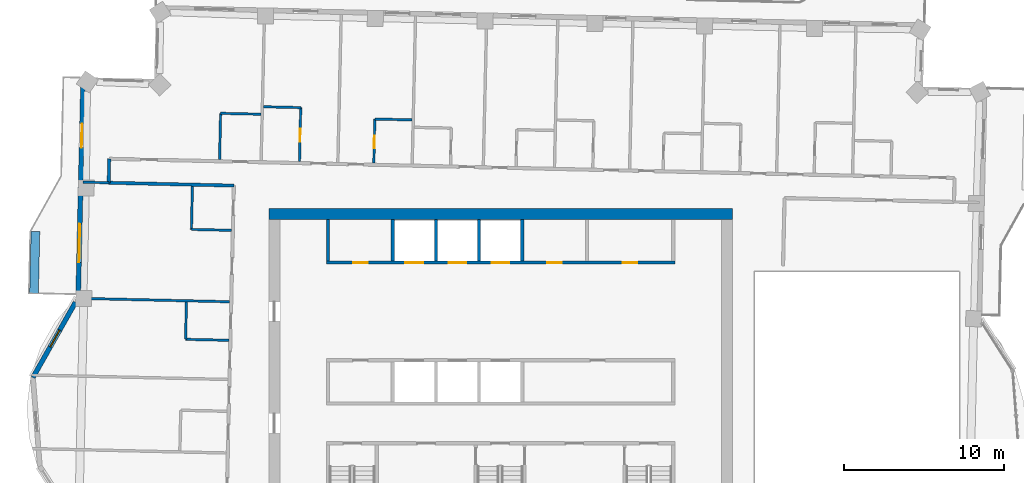
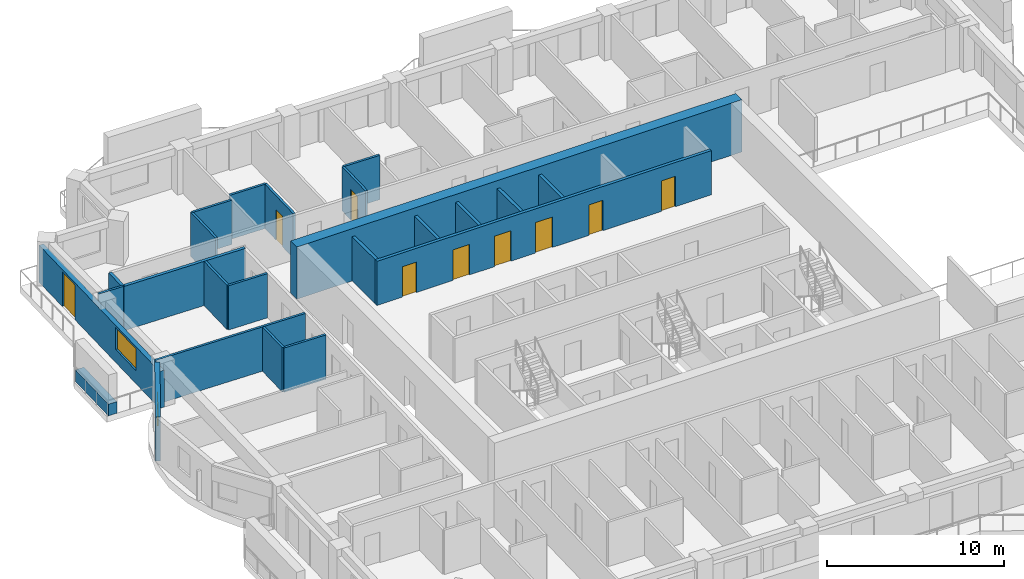
# One storey, part 10 of 17: 24 walls, 9 doors, 2 windows, 11 openings.
"""IFC4 building model written with IfcOpenShell, lengths in metres."""

from ifc_helpers import new_model, si_unit, direction, frame, frame_2d, origin, place, context, subcontext, project, spatial, rectangle, extrude, material, layer, layer_set, type_object, element, fill, save


model = new_model("IFC4")

# Units and contexts
model_context = context("Model", 3, precision=1e-05, world=origin(), true_north=direction((0.0, 1.0)))
body_context = subcontext(model_context, "Body", "Model", "MODEL_VIEW")
ifc_project = project(units=[si_unit("LENGTHUNIT", "METRE"), si_unit("AREAUNIT", "SQUARE_METRE"), si_unit("VOLUMEUNIT", "CUBIC_METRE"), si_unit("PLANEANGLEUNIT", "RADIAN"), si_unit("MASSUNIT", "GRAM", prefix="KILO")], contexts=[model_context])

# Site, building, storey
site_placement = place(None, origin())
site = spatial("IfcSite", under=ifc_project, at=site_placement, CompositionType="ELEMENT")
building_placement = place(site_placement, origin())
building = spatial("IfcBuilding", under=site, at=building_placement, Name="Mangrove Gate Tower", CompositionType="ELEMENT")
storey_placement = place(building_placement, frame((0.0, 0.0, 264.5)))
storey = spatial("IfcBuildingStorey", under=building, at=storey_placement, Name="L67", CompositionType="ELEMENT", Elevation=264.5)

# Wall
ifc_material_1 = material(Name="Concrete C32/40", Category="concrete")
ifc_layer_1 = layer(ifc_material_1, 0.199951171875)
ifc_layer_set_1 = layer_set([ifc_layer_1], Name="Core room wall 200 C32/40")
wall_type_1 = type_object("IfcWallType", Name="Core room wall 200 C32/40", PredefinedType="STANDARD", material=ifc_layer_set_1)
wall_1_placement = place(storey_placement, frame((-10.800048828125, 8.199951171875, 0.0), z_axis=(0.0, 0.0, 1.0), x_axis=(0.0, 1.0, 0.0)))
element("IfcWall", 1, at=wall_1_placement, inside=storey, type_object=wall_type_1, Name="WALL-L67-CORE-25", PredefinedType="STANDARD", context=body_context, shape_type="SweptSolid", body=[
    extrude(rectangle(XDim=2.60009765625, YDim=0.199951171875, at=frame_2d((1.300048828125, 0.0))), origin(), (0.0, 0.0, 1.0), 3.050048828125),
])

# Wall, openings, doors
ifc_material_2 = material(Name="Concrete C60/75", Category="concrete")
ifc_layer_2 = layer(ifc_material_2, 0.199951171875)
ifc_layer_set_2 = layer_set([ifc_layer_2], Name="Core shaft wall 200 C60/75")
wall_type_2 = type_object("IfcWallType", Name="Core shaft wall 200 C60/75", PredefinedType="SHEAR", material=ifc_layer_set_2)
wall_2_placement = place(storey_placement, frame((-10.89990234375, 8.10009765625, 0.0), z_axis=(0.0, 0.0, 1.0), x_axis=(1.0, 0.0, 0.0)))
wall_2 = element("IfcWall", 2, at=wall_2_placement, inside=storey, type_object=wall_type_2, Name="WALL-L67-CORE-8", PredefinedType="SHEAR", context=body_context, shape_type="SweptSolid", body=[
    extrude(rectangle(XDim=21.7998046875, YDim=0.199951171875, at=frame_2d((10.89990234375, 0.0))), origin(), (0.0, 0.0, 1.0), 3.050048828125),
])
opening_1_placement = place(wall_2_placement, frame((4.949951171875, 0.0, 0.0)))
opening_1 = element("IfcOpeningElement", 3, at=opening_1_placement, cuts=wall_2, Name="Opening LD", PredefinedType="OPENING", context=body_context, shape_type="SweptSolid", body=[
    extrude(rectangle(XDim=1.10009765625, YDim=2.10009765625, at=frame_2d((0.550048828125, 1.050048828125))), frame((0.0, 0.10986328125, 0.0), z_axis=(0.0, -1.0, 0.0), x_axis=(1.0, 0.0, 0.0)), (0.0, 0.0, 1.0), 0.219970703125),
])
opening_2_placement = place(wall_2_placement, frame((7.64990234375, 0.0, 0.0)))
opening_2 = element("IfcOpeningElement", 4, at=opening_2_placement, cuts=wall_2, Name="Opening LD", PredefinedType="OPENING", context=body_context, shape_type="SweptSolid", body=[
    extrude(rectangle(XDim=1.10009765625, YDim=2.10009765625, at=frame_2d((0.550048828125, 1.050048828125))), frame((0.0, 0.10986328125, 0.0), z_axis=(0.0, -1.0, 0.0), x_axis=(1.0, 0.0, 0.0)), (0.0, 0.0, 1.0), 0.219970703125),
])
opening_3_placement = place(wall_2_placement, frame((10.35009765625, 0.0, 0.0)))
opening_3 = element("IfcOpeningElement", 5, at=opening_3_placement, cuts=wall_2, Name="Opening LD", PredefinedType="OPENING", context=body_context, shape_type="SweptSolid", body=[
    extrude(rectangle(XDim=1.10009765625, YDim=2.10009765625, at=frame_2d((0.550048828125, 1.050048828125))), frame((0.0, 0.10986328125, 0.0), z_axis=(0.0, -1.0, 0.0), x_axis=(1.0, 0.0, 0.0)), (0.0, 0.0, 1.0), 0.219970703125),
])
opening_4_placement = place(wall_2_placement, frame((1.675048828125, 0.0, 0.0)))
opening_4 = element("IfcOpeningElement", 6, at=opening_4_placement, cuts=wall_2, Name="Opening KD", PredefinedType="OPENING", context=body_context, shape_type="SweptSolid", body=[
    extrude(rectangle(XDim=0.89990234375, YDim=2.10009765625, at=frame_2d((0.449951171875, 1.050048828125))), frame((0.0, 0.10986328125, 0.0), z_axis=(0.0, -1.0, 0.0), x_axis=(1.0, 0.0, 0.0)), (0.0, 0.0, 1.0), 0.219970703125),
])
opening_5_placement = place(wall_2_placement, frame((13.824951171875, 0.0, 0.0)))
opening_5 = element("IfcOpeningElement", 7, at=opening_5_placement, cuts=wall_2, Name="Opening KD", PredefinedType="OPENING", context=body_context, shape_type="SweptSolid", body=[
    extrude(rectangle(XDim=0.89990234375, YDim=2.10009765625, at=frame_2d((0.449951171875, 1.050048828125))), frame((0.0, 0.10986328125, 0.0), z_axis=(0.0, -1.0, 0.0), x_axis=(1.0, 0.0, 0.0)), (0.0, 0.0, 1.0), 0.219970703125),
])
opening_6_placement = place(wall_2_placement, frame((18.550048828125, 0.0, 0.0)))
opening_6 = element("IfcOpeningElement", 8, at=opening_6_placement, cuts=wall_2, Name="Opening RD", PredefinedType="OPENING", context=body_context, shape_type="SweptSolid", body=[
    extrude(rectangle(XDim=0.89990234375, YDim=2.10009765625, at=frame_2d((0.449951171875, 1.050048828125))), frame((0.0, 0.10986328125, 0.0), z_axis=(0.0, -1.0, 0.0), x_axis=(1.0, 0.0, 0.0)), (0.0, 0.0, 1.0), 0.219970703125),
])
ifc_material_3 = material(Name="Fire-rated steel door set", Category="steel")
door_type_1 = type_object("IfcDoorType", Name="Core room door FD30S 900x2100", OperationType="SINGLE_SWING_RIGHT", PredefinedType="DOOR", material=ifc_material_3)
door_1_placement = place(opening_4_placement, origin())
door_1 = element("IfcDoor", 9, at=door_1_placement, inside=storey, type_object=door_type_1, Name="Core room door Cleaner's store", OperationType="SINGLE_SWING_RIGHT", OverallHeight=2.10009765625, OverallWidth=0.89990234375, PredefinedType="DOOR", context=body_context, shape_type="SweptSolid", body=[
    extrude(rectangle(XDim=0.89990234375, YDim=2.10009765625, at=frame_2d((0.449951171875, 1.050048828125))), frame((0.0, 0.02490234375, 0.0), z_axis=(0.0, -1.0, 0.0), x_axis=(1.0, 0.0, 0.0)), (0.0, 0.0, 1.0), 0.050048828125),
])
fill(opening_4, door_1)
door_2_placement = place(opening_5_placement, origin())
door_2 = element("IfcDoor", 10, at=door_2_placement, inside=storey, type_object=door_type_1, Name="Core room door Refuse store", OperationType="SINGLE_SWING_RIGHT", OverallHeight=2.10009765625, OverallWidth=0.89990234375, PredefinedType="DOOR", context=body_context, shape_type="SweptSolid", body=[
    extrude(rectangle(XDim=0.89990234375, YDim=2.10009765625, at=frame_2d((0.449951171875, 1.050048828125))), frame((0.0, 0.02490234375, 0.0), z_axis=(0.0, -1.0, 0.0), x_axis=(1.0, 0.0, 0.0)), (0.0, 0.0, 1.0), 0.050048828125),
])
fill(opening_5, door_2)
ifc_material_4 = material(Name="Stainless steel 316", Category="steel")
door_type_2 = type_object("IfcDoorType", Name="Lift landing door 1100x2100", OperationType="SLIDING_TO_LEFT", PredefinedType="DOOR", material=ifc_material_4)
door_3_placement = place(opening_1_placement, origin())
door_3 = element("IfcDoor", 11, at=door_3_placement, inside=storey, type_object=door_type_2, Name="Landing door LD H04", OperationType="SLIDING_TO_LEFT", OverallHeight=2.10009765625, OverallWidth=1.10009765625, PredefinedType="DOOR", context=body_context, shape_type="SweptSolid", body=[
    extrude(rectangle(XDim=1.10009765625, YDim=2.10009765625, at=frame_2d((0.550048828125, 1.050048828125))), frame((0.0, 0.02490234375, 0.0), z_axis=(0.0, -1.0, 0.0), x_axis=(1.0, 0.0, 0.0)), (0.0, 0.0, 1.0), 0.050048828125),
])
fill(opening_1, door_3)
door_4_placement = place(opening_2_placement, origin())
door_4 = element("IfcDoor", 12, at=door_4_placement, inside=storey, type_object=door_type_2, Name="Landing door LD H05", OperationType="SLIDING_TO_LEFT", OverallHeight=2.10009765625, OverallWidth=1.10009765625, PredefinedType="DOOR", context=body_context, shape_type="SweptSolid", body=[
    extrude(rectangle(XDim=1.10009765625, YDim=2.10009765625, at=frame_2d((0.550048828125, 1.050048828125))), frame((0.0, 0.02490234375, 0.0), z_axis=(0.0, -1.0, 0.0), x_axis=(1.0, 0.0, 0.0)), (0.0, 0.0, 1.0), 0.050048828125),
])
fill(opening_2, door_4)
door_5_placement = place(opening_3_placement, origin())
door_5 = element("IfcDoor", 13, at=door_5_placement, inside=storey, type_object=door_type_2, Name="Landing door LD H06", OperationType="SLIDING_TO_LEFT", OverallHeight=2.10009765625, OverallWidth=1.10009765625, PredefinedType="DOOR", context=body_context, shape_type="SweptSolid", body=[
    extrude(rectangle(XDim=1.10009765625, YDim=2.10009765625, at=frame_2d((0.550048828125, 1.050048828125))), frame((0.0, 0.02490234375, 0.0), z_axis=(0.0, -1.0, 0.0), x_axis=(1.0, 0.0, 0.0)), (0.0, 0.0, 1.0), 0.050048828125),
])
fill(opening_3, door_5)
ifc_material_5 = material(Name="Fire-rated steel door set", Category="steel")
door_type_3 = type_object("IfcDoorType", Name="Riser door FD30S 900x2100", OperationType="SINGLE_SWING_LEFT", PredefinedType="DOOR", material=ifc_material_5)
door_6_placement = place(opening_6_placement, origin())
door_6 = element("IfcDoor", 14, at=door_6_placement, inside=storey, type_object=door_type_3, Name="Riser door Electrical room", OperationType="SINGLE_SWING_LEFT", OverallHeight=2.10009765625, OverallWidth=0.89990234375, PredefinedType="DOOR", context=body_context, shape_type="SweptSolid", body=[
    extrude(rectangle(XDim=0.89990234375, YDim=2.10009765625, at=frame_2d((0.449951171875, 1.050048828125))), frame((0.0, 0.02490234375, 0.0), z_axis=(0.0, -1.0, 0.0), x_axis=(1.0, 0.0, 0.0)), (0.0, 0.0, 1.0), 0.050048828125),
])
fill(opening_6, door_6)

# Walls
for number, where, z_axis, x_axis, name in (
    (15, (-6.75, 8.199951171875, 0.0), (0.0, 0.0, 1.0), (0.0, 1.0, 0.0), "WALL-L67-CORE-26"),
    (16, (-4.050048828125, 8.199951171875, 0.0), (0.0, 0.0, 1.0), (0.0, 1.0, 0.0), "WALL-L67-CORE-27"),
    (17, (-1.35009765625, 8.199951171875, 0.0), (0.0, 0.0, 1.0), (0.0, 1.0, 0.0), "WALL-L67-CORE-28"),
    (18, (1.35009765625, 8.199951171875, 0.0), (0.0, 0.0, 1.0), (0.0, 1.0, 0.0), "WALL-L67-CORE-29"),
):
    element("IfcWall", number, at=place(storey_placement, frame(where, z_axis=z_axis, x_axis=x_axis)), inside=storey, type_object=wall_type_2, Name=name, PredefinedType="SHEAR", context=body_context, shape_type="SweptSolid", body=[
        extrude(rectangle(XDim=2.60009765625, YDim=0.199951171875, at=frame_2d((1.300048828125, 0.0))), origin(), (0.0, 0.0, 1.0), 3.050048828125),
    ])
ifc_material_6 = material(Name="Concrete C60/75", Category="concrete")
ifc_layer_3 = layer(ifc_material_6, 0.699951171875)
ifc_layer_set_3 = layer_set([ifc_layer_3], Name="Core wall 700 C60/75")
wall_type_3 = type_object("IfcWallType", Name="Core wall 700 C60/75", PredefinedType="SHEAR", material=ifc_layer_set_3)
wall_3_placement = place(storey_placement, frame((-14.5, 11.14990234375, 0.0), z_axis=(0.0, 0.0, 1.0), x_axis=(1.0, 0.0, 0.0)))
element("IfcWall", 19, at=wall_3_placement, inside=storey, type_object=wall_type_3, Name="WALL-L67-CORE-2", PredefinedType="SHEAR", context=body_context, shape_type="SweptSolid", body=[
    extrude(rectangle(XDim=29.0, YDim=0.699951171875, at=frame_2d((14.5, 0.0))), origin(), (0.0, 0.0, 1.0), 3.60009765625),
])
ifc_material_7 = material(Name="Gypsum board on steel stud, EI 60", Category="steel")
ifc_layer_4 = layer(ifc_material_7, 0.199951171875)
ifc_layer_set_4 = layer_set([ifc_layer_4], Name="Corridor wall EI 60")
wall_type_4 = type_object("IfcWallType", Name="Corridor wall EI 60", PredefinedType="PARTITIONING", material=ifc_layer_set_4)
wall_4_placement = place(storey_placement, frame((-24.511962890625, 13.095947265625, 0.0), z_axis=(0.0, 0.0, 1.0), x_axis=(0.022617910375, 0.999744182344, 0.0)))
element("IfcWall", 20, at=wall_4_placement, inside=storey, type_object=wall_type_4, Name="WALL-L67-055", PredefinedType="PARTITIONING", context=body_context, shape_type="SweptSolid", body=[
    extrude(rectangle(XDim=1.50048828125, YDim=0.199951171875, at=frame_2d((0.750244140625, 0.0))), origin(), (0.0, 0.0, 1.0), 3.050048828125),
])
wall_5_placement = place(storey_placement, frame((-24.508056640625, 13.095947265625, 0.0), z_axis=(0.0, 0.0, 1.0), x_axis=(0.99974170677, -0.022727070732, 0.0)))
element("IfcWall", 21, at=wall_5_placement, inside=storey, type_object=wall_type_4, Name="WALL-L67-056", PredefinedType="PARTITIONING", context=body_context, shape_type="SweptSolid", body=[
    extrude(rectangle(XDim=7.8310546875, YDim=0.199951171875, at=frame_2d((3.91552734375, 0.0))), origin(), (0.0, 0.0, 1.0), 3.050048828125),
])

# Wall, openings, door, window
ifc_material_8 = material(Name="Limestone", Category="masonry")
ifc_layer_5 = layer(ifc_material_8, 0.0400390625, Name="Limestone cladding")
ifc_material_9 = material(Name="Ventilated air gap")
ifc_layer_6 = layer(ifc_material_9, 0.0400390625, Name="Ventilated cavity")
ifc_material_10 = material(Name="Mineral wool insulation")
ifc_layer_7 = layer(ifc_material_10, 0.06005859375, Name="Insulation")
ifc_material_11 = material(Name="Breather membrane")
ifc_layer_8 = layer(ifc_material_11, 0.001953125, Name="Breather membrane")
ifc_material_12 = material(Name="Concrete C20/25 blockwork", Category="masonry")
ifc_layer_9 = layer(ifc_material_12, 0.14990234375, Name="Blockwork backing wall")
ifc_material_13 = material(Name="Gypsum plaster")
ifc_layer_10 = layer(ifc_material_13, 0.008056640625, Name="Internal plaster")
ifc_layer_set_5 = layer_set([ifc_layer_5, ifc_layer_6, ifc_layer_7, ifc_layer_8, ifc_layer_9, ifc_layer_10], Name="External wall 300 limestone cladding")
wall_type_5 = type_object("IfcWallType", Name="External wall 300 limestone cladding", PredefinedType="SOLIDWALL", material=ifc_layer_set_5)
wall_6_placement = place(storey_placement, frame((-26.113037109375, 19.533935546875, 0.0), z_axis=(0.0, 0.0, 1.0), x_axis=(-0.022649415303, -0.999743469089, 0.0)))
wall_6 = element("IfcWall", 22, at=wall_6_placement, inside=storey, type_object=wall_type_5, Name="WALL-L67-W8s1", PredefinedType="SOLIDWALL", context=body_context, shape_type="SweptSolid", body=[
    extrude(rectangle(XDim=14.174560546875, YDim=0.300048828125, at=frame_2d((7.08740234375, 0.0))), origin(), (0.0, 0.0, 1.0), 2.550048828125),
])
opening_7_placement = place(wall_6_placement, frame((2.735107421875, 0.0, 0.0)))
opening_7 = element("IfcOpeningElement", 23, at=opening_7_placement, cuts=wall_6, Name="Opening BD1", PredefinedType="OPENING", context=body_context, shape_type="SweptSolid", body=[
    extrude(rectangle(XDim=1.5, YDim=2.39990234375, at=frame_2d((0.75, 1.199951171875))), frame((0.0, 0.159912109375, 0.0), z_axis=(0.0, -1.0, 0.0), x_axis=(1.0, 0.0, 0.0)), (0.0, 0.0, 1.0), 0.320068359375),
])
opening_8_placement = place(wall_6_placement, frame((9.01904296875, 0.0, 0.89990234375)))
opening_8 = element("IfcOpeningElement", 24, at=opening_8_placement, cuts=wall_6, Name="Opening W2", PredefinedType="OPENING", context=body_context, shape_type="SweptSolid", body=[
    extrude(rectangle(XDim=2.39990234375, YDim=1.5, at=frame_2d((1.199951171875, 0.75))), frame((0.0, 0.159912109375, 0.0), z_axis=(0.0, -1.0, 0.0), x_axis=(1.0, 0.0, 0.0)), (0.0, 0.0, 1.0), 0.320068359375),
])
ifc_material_14 = material(Name="Aluminium frame with laminated clear glass", Category="aluminium")
door_type_4 = type_object("IfcDoorType", Name="Balcony sliding door 1500x2400", OperationType="SLIDING_TO_LEFT", PredefinedType="DOOR", material=ifc_material_14)
door_7_placement = place(opening_7_placement, origin())
door_7 = element("IfcDoor", 25, at=door_7_placement, inside=storey, type_object=door_type_4, Name="DOOR-L67-W8-1", OperationType="SLIDING_TO_LEFT", OverallHeight=2.39990234375, OverallWidth=1.5, PredefinedType="DOOR", context=body_context, shape_type="SweptSolid", body=[
    extrude(rectangle(XDim=1.5, YDim=2.39990234375, at=frame_2d((0.75, 1.199951171875))), frame((0.0, 0.02490234375, 0.0), z_axis=(0.0, -1.0, 0.0), x_axis=(1.0, 0.0, 0.0)), (0.0, 0.0, 1.0), 0.050048828125),
])
fill(opening_7, door_7)
ifc_material_15 = material(Name="Aluminium frame with double-glazed low-e glass", Category="aluminium")
window_type_1 = type_object("IfcWindowType", Name="Corner room window 2400x1500", PartitioningType="DOUBLE_PANEL_VERTICAL", PredefinedType="WINDOW", material=ifc_material_15)
window_1_placement = place(opening_8_placement, origin())
window_1 = element("IfcWindow", 26, at=window_1_placement, inside=storey, type_object=window_type_1, Name="WIN-L67-W8-2", OverallHeight=1.5, OverallWidth=2.39990234375, PartitioningType="DOUBLE_PANEL_VERTICAL", PredefinedType="WINDOW", context=body_context, shape_type="SweptSolid", body=[
    extrude(rectangle(XDim=2.39990234375, YDim=1.5, at=frame_2d((1.199951171875, 0.75))), frame((0.0, 0.030029296875, 0.0), z_axis=(0.0, -1.0, 0.0), x_axis=(1.0, 0.0, 0.0)), (0.0, 0.0, 1.0), 0.06005859375),
])
fill(opening_8, window_1)

# Wall, opening, window
wall_7_placement = place(storey_placement, frame((-26.589111328125, 5.62109375, 0.0), z_axis=(0.0, 0.0, 1.0), x_axis=(-0.492495436053, -0.870315026566, 0.0)))
wall_7 = element("IfcWall", 27, at=wall_7_placement, inside=storey, type_object=wall_type_5, Name="WALL-L67-W9f1", PredefinedType="SOLIDWALL", context=body_context, shape_type="SweptSolid", body=[
    extrude(rectangle(XDim=5.39697265625, YDim=0.300048828125, at=frame_2d((2.698486328125, 0.0))), origin(), (0.0, 0.0, 1.0), 3.050048828125),
])
opening_9_placement = place(wall_7_placement, frame((2.007080078125, 0.0, 0.89990234375)))
opening_9 = element("IfcOpeningElement", 28, at=opening_9_placement, cuts=wall_7, Name="Opening W1", PredefinedType="OPENING", context=body_context, shape_type="SweptSolid", body=[
    extrude(rectangle(XDim=1.199951171875, YDim=1.5, at=frame_2d((0.60009765625, 0.75))), frame((0.0, 0.159912109375, 0.0), z_axis=(0.0, -1.0, 0.0), x_axis=(1.0, 0.0, 0.0)), (0.0, 0.0, 1.0), 0.320068359375),
])
ifc_material_16 = material(Name="Aluminium frame with double-glazed low-e glass", Category="aluminium")
window_type_2 = type_object("IfcWindowType", Name="Side lite 1200x1500", PartitioningType="SINGLE_PANEL", PredefinedType="WINDOW", material=ifc_material_16)
window_2_placement = place(opening_9_placement, origin())
window_2 = element("IfcWindow", 29, at=window_2_placement, inside=storey, type_object=window_type_2, Name="WIN-L67-W9f1", OverallHeight=1.5, OverallWidth=1.199951171875, PartitioningType="SINGLE_PANEL", PredefinedType="WINDOW", context=body_context, shape_type="SweptSolid", body=[
    extrude(rectangle(XDim=1.199951171875, YDim=1.5, at=frame_2d((0.60009765625, 0.75))), frame((0.0, 0.030029296875, 0.0), z_axis=(0.0, -1.0, 0.0), x_axis=(1.0, 0.0, 0.0)), (0.0, 0.0, 1.0), 0.06005859375),
])
fill(opening_9, window_2)

# Walls
ifc_material_17 = material(Name="Gypsum board on steel stud, EI 60", Category="steel")
ifc_layer_11 = layer(ifc_material_17, 0.14990234375)
ifc_layer_set_6 = layer_set([ifc_layer_11], Name="Party wall 150 EI 60")
wall_type_6 = type_object("IfcWallType", Name="Party wall 150 EI 60", PredefinedType="PARTITIONING", material=ifc_layer_set_6)
wall_8_placement = place(storey_placement, frame((-19.697998046875, 3.303955078125, 0.0), z_axis=(0.0, 0.0, 1.0), x_axis=(0.999744396973, -0.02260842146, 0.0)))
element("IfcWall", 30, at=wall_8_placement, inside=storey, type_object=wall_type_6, Name="WALL-L67-048", PredefinedType="PARTITIONING", context=body_context, shape_type="SweptSolid", body=[
    extrude(rectangle(XDim=2.69970703125, YDim=0.14990234375, at=frame_2d((1.349853515625, 0.0))), origin(), (0.0, 0.0, 1.0), 3.050048828125),
])
wall_9_placement = place(storey_placement, frame((-19.702880859375, 3.31005859375, 0.0), z_axis=(0.0, 0.0, 1.0), x_axis=(0.02279059109, 0.999740260747, 0.0)))
element("IfcWall", 31, at=wall_9_placement, inside=storey, type_object=wall_type_6, Name="WALL-L67-049", PredefinedType="PARTITIONING", context=body_context, shape_type="SweptSolid", body=[
    extrude(rectangle(XDim=2.324462890625, YDim=0.14990234375, at=frame_2d((1.162109375, 0.0))), origin(), (0.0, 0.0, 1.0), 3.050048828125),
])
wall_10_placement = place(storey_placement, frame((-26.572998046875, 5.87109375, 0.0), z_axis=(0.0, 0.0, 1.0), x_axis=(0.999743768709, -0.022636186244, 0.0)))
element("IfcWall", 32, at=wall_10_placement, inside=storey, type_object=wall_type_6, Name="WALL-L67-050", PredefinedType="PARTITIONING", context=body_context, shape_type="SweptSolid", body=[
    extrude(rectangle(XDim=9.63134765625, YDim=0.14990234375, at=frame_2d((4.815673828125, 0.0))), origin(), (0.0, 0.0, 1.0), 3.050048828125),
])
wall_11_placement = place(storey_placement, frame((-19.342041015625, 10.177978515625, 0.0), z_axis=(0.0, 0.0, 1.0), x_axis=(0.999741028149, -0.022756903044, 0.0)))
element("IfcWall", 33, at=wall_11_placement, inside=storey, type_object=wall_type_6, Name="WALL-L67-052", PredefinedType="PARTITIONING", context=body_context, shape_type="SweptSolid", body=[
    extrude(rectangle(XDim=2.499755859375, YDim=0.14990234375, at=frame_2d((1.25, 0.0))), origin(), (0.0, 0.0, 1.0), 3.050048828125),
])
wall_12_placement = place(storey_placement, frame((-19.3369140625, 10.177978515625, 0.0), z_axis=(0.0, 0.0, 1.0), x_axis=(0.02260842146, 0.999744396973, 0.0)))
element("IfcWall", 34, at=wall_12_placement, inside=storey, type_object=wall_type_6, Name="WALL-L67-053", PredefinedType="PARTITIONING", context=body_context, shape_type="SweptSolid", body=[
    extrude(rectangle(XDim=2.69970703125, YDim=0.14990234375, at=frame_2d((1.349853515625, 0.0))), origin(), (0.0, 0.0, 1.0), 3.050048828125),
])
wall_13_placement = place(storey_placement, frame((-26.10791015625, 13.132080078125, 0.0), z_axis=(0.0, 0.0, 1.0), x_axis=(0.999746371854, -0.022520922836, 0.0)))
element("IfcWall", 35, at=wall_13_placement, inside=storey, type_object=wall_type_6, Name="WALL-L67-054", PredefinedType="PARTITIONING", context=body_context, shape_type="SweptSolid", body=[
    extrude(rectangle(XDim=1.6044921875, YDim=0.14990234375, at=frame_2d((0.80224609375, 0.0))), origin(), (0.0, 0.0, 1.0), 3.050048828125),
])
wall_14_placement = place(storey_placement, frame((-17.577880859375, 14.5390625, 0.0), z_axis=(0.0, 0.0, 1.0), x_axis=(0.022725229174, 0.999741748633, 0.0)))
element("IfcWall", 36, at=wall_14_placement, inside=storey, type_object=wall_type_6, Name="WALL-L67-061", PredefinedType="PARTITIONING", context=body_context, shape_type="SweptSolid", body=[
    extrude(rectangle(XDim=2.900634765625, YDim=0.14990234375, at=frame_2d((1.4501953125, 0.0))), origin(), (0.0, 0.0, 1.0), 3.050048828125),
])

# Wall, opening, door
wall_15_placement = place(storey_placement, frame((-12.5791015625, 14.426025390625, 0.0), z_axis=(0.0, 0.0, 1.0), x_axis=(0.022894207861, 0.999737893273, 0.0)))
wall_15 = element("IfcWall", 37, at=wall_15_placement, inside=storey, type_object=wall_type_6, Name="WALL-L67-063", PredefinedType="PARTITIONING", context=body_context, shape_type="SweptSolid", body=[
    extrude(rectangle(XDim=3.369873046875, YDim=0.14990234375, at=frame_2d((1.68505859375, 0.0))), origin(), (0.0, 0.0, 1.0), 3.050048828125),
])
opening_10_placement = place(wall_15_placement, frame((1.235107421875, 0.0, 0.0)))
opening_10 = element("IfcOpeningElement", 38, at=opening_10_placement, cuts=wall_15, Name="Opening ED", PredefinedType="OPENING", context=body_context, shape_type="SweptSolid", body=[
    extrude(rectangle(XDim=0.800048828125, YDim=2.10009765625, at=frame_2d((0.39990234375, 1.050048828125))), frame((0.0, 0.0849609375, 0.0), z_axis=(0.0, -1.0, 0.0), x_axis=(1.0, 0.0, 0.0)), (0.0, 0.0, 1.0), 0.169921875),
])
ifc_material_18 = material(Name="Timber door leaf", Category="wood")
door_type_5 = type_object("IfcDoorType", Name="En-suite door 800", OperationType="SINGLE_SWING_LEFT", PredefinedType="DOOR", material=ifc_material_18)
door_8_placement = place(opening_10_placement, origin())
door_8 = element("IfcDoor", 39, at=door_8_placement, inside=storey, type_object=door_type_5, Name="DOOR-L67-ENS-c517", OperationType="SINGLE_SWING_LEFT", OverallHeight=2.10009765625, OverallWidth=0.800048828125, PredefinedType="DOOR", context=body_context, shape_type="SweptSolid", body=[
    extrude(rectangle(XDim=0.800048828125, YDim=2.10009765625, at=frame_2d((0.39990234375, 1.050048828125))), frame((0.0, 0.02490234375, 0.0), z_axis=(0.0, -1.0, 0.0), x_axis=(1.0, 0.0, 0.0)), (0.0, 0.0, 1.0), 0.050048828125),
])
fill(opening_10, door_8)

wall_16_placement = place(storey_placement, frame((-7.929931640625, 14.320068359375, 0.0), z_axis=(0.0, 0.0, 1.0), x_axis=(0.022462265691, 0.99974769148, 0.0)))
wall_16 = element("IfcWall", 40, at=wall_16_placement, inside=storey, type_object=wall_type_6, Name="WALL-L67-065", PredefinedType="PARTITIONING", context=body_context, shape_type="SweptSolid", body=[
    extrude(rectangle(XDim=2.7607421875, YDim=0.14990234375, at=frame_2d((1.38037109375, 0.0))), origin(), (0.0, 0.0, 1.0), 3.050048828125),
])
opening_11_placement = place(wall_16_placement, frame((0.929931640625, 0.0, 0.0)))
opening_11 = element("IfcOpeningElement", 41, at=opening_11_placement, cuts=wall_16, Name="Opening ED", PredefinedType="OPENING", context=body_context, shape_type="SweptSolid", body=[
    extrude(rectangle(XDim=0.800048828125, YDim=2.10009765625, at=frame_2d((0.39990234375, 1.050048828125))), frame((0.0, 0.0849609375, 0.0), z_axis=(0.0, -1.0, 0.0), x_axis=(1.0, 0.0, 0.0)), (0.0, 0.0, 1.0), 0.169921875),
])
door_9_placement = place(opening_11_placement, origin())
door_9 = element("IfcDoor", 42, at=door_9_placement, inside=storey, type_object=door_type_5, Name="DOOR-L67-ENS-c516", OperationType="SINGLE_SWING_RIGHT", OverallHeight=2.10009765625, OverallWidth=0.800048828125, PredefinedType="DOOR", context=body_context, shape_type="SweptSolid", body=[
    extrude(rectangle(XDim=0.800048828125, YDim=2.10009765625, at=frame_2d((0.39990234375, 1.050048828125))), frame((0.0, 0.02490234375, 0.0), z_axis=(0.0, -1.0, 0.0), x_axis=(1.0, 0.0, 0.0)), (0.0, 0.0, 1.0), 0.050048828125),
])
fill(opening_11, door_9)

# Walls
wall_17_placement = place(storey_placement, frame((-7.864013671875, 17.080078125, 0.0), z_axis=(0.0, 0.0, 1.0), x_axis=(0.999740478815, -0.022781023197, 0.0)))
element("IfcWall", 43, at=wall_17_placement, inside=storey, type_object=wall_type_6, Name="WALL-L67-084", PredefinedType="PARTITIONING", context=body_context, shape_type="SweptSolid", body=[
    extrude(rectangle(XDim=2.325439453125, YDim=0.14990234375, at=frame_2d((1.16259765625, 0.0))), origin(), (0.0, 0.0, 1.0), 3.050048828125),
])
wall_18_placement = place(storey_placement, frame((-17.508056640625, 17.43798828125, 0.0), z_axis=(0.0, 0.0, 1.0), x_axis=(0.999746160391, -0.022530308093, 0.0)))
element("IfcWall", 44, at=wall_18_placement, inside=storey, type_object=wall_type_6, Name="WALL-L67-085", PredefinedType="PARTITIONING", context=body_context, shape_type="SweptSolid", body=[
    extrude(rectangle(XDim=2.52490234375, YDim=0.14990234375, at=frame_2d((1.262451171875, 0.0))), origin(), (0.0, 0.0, 1.0), 3.050048828125),
])
wall_19_placement = place(storey_placement, frame((-14.822998046875, 17.847900390625, 0.0), z_axis=(0.0, 0.0, 1.0), x_axis=(0.999740478815, -0.022781023197, 0.0)))
element("IfcWall", 45, at=wall_19_placement, inside=storey, type_object=wall_type_6, Name="WALL-L67-089", PredefinedType="PARTITIONING", context=body_context, shape_type="SweptSolid", body=[
    extrude(rectangle(XDim=2.325439453125, YDim=0.14990234375, at=frame_2d((1.16259765625, 0.0))), origin(), (0.0, 0.0, 1.0), 3.050048828125),
])
ifc_material_19 = material(Name="Concrete C32/40", Category="concrete")
ifc_layer_12 = layer(ifc_material_19, 0.199951171875, Name="Planter trough wall")
ifc_material_20 = material(Name="Bituminous waterproofing membrane")
ifc_layer_13 = layer(ifc_material_20, 0.0048828125, Name="Waterproofing")
ifc_material_21 = material(Name="Drainage board and gravel")
ifc_layer_14 = layer(ifc_material_21, 0.044921875, Name="Drainage layer")
ifc_material_22 = material(Name="Planting soil")
ifc_layer_15 = layer(ifc_material_22, 0.300048828125, Name="Growing medium")
ifc_layer_set_7 = layer_set([ifc_layer_12, ifc_layer_13, ifc_layer_14, ifc_layer_15], Name="Planter wall 550 C32/40")
wall_type_7 = type_object("IfcWallType", Name="Planter wall 550 C32/40", PredefinedType="USERDEFINED", material=ifc_layer_set_7)
wall_20_placement = place(storey_placement, frame((-29.180908203125, 6.176025390625, 0.0), z_axis=(0.0, 0.0, 1.0), x_axis=(0.022681332769, 0.999742745482, 0.0)))
element("IfcWall", 46, at=wall_20_placement, inside=storey, type_object=wall_type_7, Name="PLANTER L67 W0.1", ObjectType="PLANTER", PredefinedType="USERDEFINED", context=body_context, shape_type="SweptSolid", body=[
    extrude(rectangle(XDim=3.875, YDim=0.550048828125, at=frame_2d((1.9375, 0.0))), origin(), (0.0, 0.0, 1.0), 0.800048828125),
])

save(model, "model.ifc")
